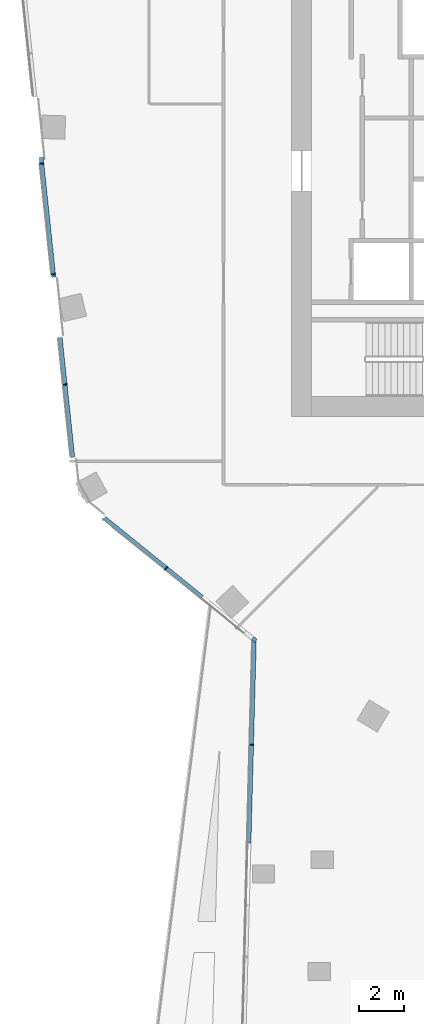
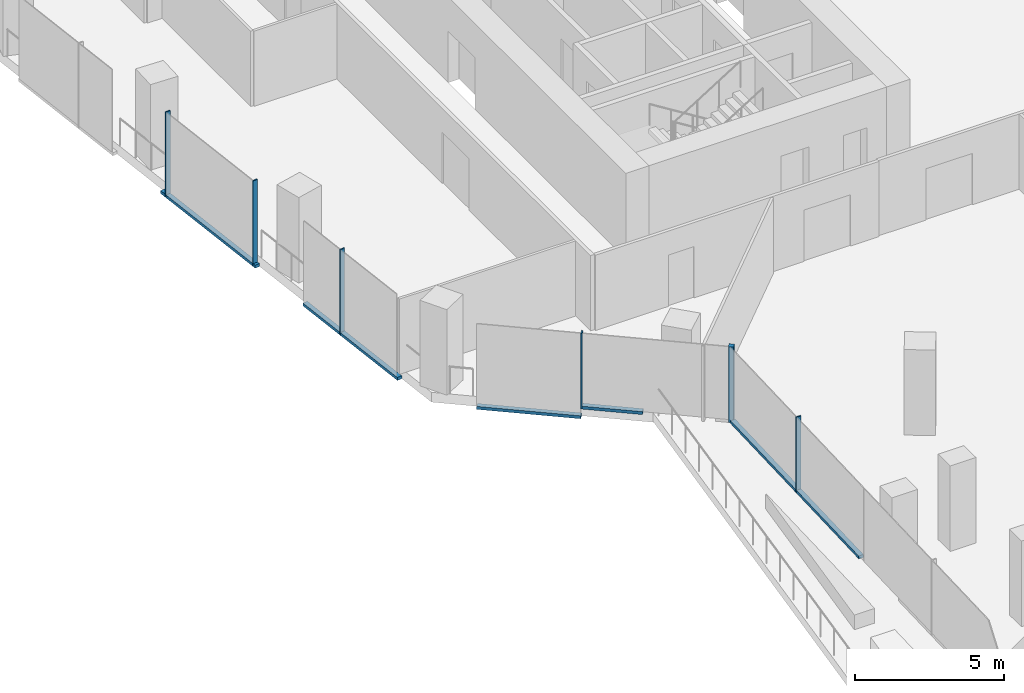
# One storey, part 5 of 24: 11 members, 3 elements without a shape of their own.
"""IFC4 building model written with IfcOpenShell, lengths in metres."""

from ifc_helpers import new_model, si_unit, direction, frame, origin, origin_2d, place, context, subcontext, project, spatial, rectangle, extrude, material, material_profile, profile_set, type_object, element, aggregate, save


model = new_model("IFC4")

# Units and contexts
model_context = context("Model", 3, precision=1e-05, world=origin(), true_north=direction((0.0, 1.0)))
body_context = subcontext(model_context, "Body", "Model", "MODEL_VIEW")
ifc_project = project(units=[si_unit("LENGTHUNIT", "METRE"), si_unit("AREAUNIT", "SQUARE_METRE"), si_unit("VOLUMEUNIT", "CUBIC_METRE"), si_unit("PLANEANGLEUNIT", "RADIAN"), si_unit("MASSUNIT", "GRAM", prefix="KILO")], contexts=[model_context])

# Site, building, storey
site_placement = place(None, origin())
site = spatial("IfcSite", under=ifc_project, at=site_placement, CompositionType="ELEMENT")
building_placement = place(site_placement, origin())
building = spatial("IfcBuilding", under=site, at=building_placement, Name="Orlundy Tower", CompositionType="ELEMENT")
storey_placement = place(building_placement, frame((0.0, 0.0, 210.5)))
storey = spatial("IfcBuildingStorey", under=building, at=storey_placement, Name="L55", CompositionType="ELEMENT", Elevation=210.5)

# Curtain wall, member
ifc_material_1 = material(Name="Aluminium bronze anodised", Category="aluminium")
curtain_wall_type = type_object("IfcCurtainWallType", Name="CW1 wall", PredefinedType="NOTDEFINED", material=ifc_material_1)
curtain_wall_1_placement = place(storey_placement, origin())
curtain_wall_1 = element("IfcCurtainWall", 1, at=curtain_wall_1_placement, inside=storey, type_object=curtain_wall_type, Name="CW1 run 01", PredefinedType="NOTDEFINED")
ifc_material_2 = material(Name="Aluminium bronze anodised", Category="aluminium")
ifc_material_profile_1 = material_profile(ifc_material_2, rectangle(XDim=0.179931640625, YDim=0.179931640625, at=origin_2d()), Name="CW1 corner post 180x180")
ifc_profile_set_1 = profile_set([ifc_material_profile_1], Name="Aluminium bronze anodised")
member_type_1 = type_object("IfcMemberType", Name="CW1 corner post 180x180", PredefinedType="MULLION", material=ifc_profile_set_1)
member_1_placement = place(storey_placement, frame((-20.672119140625, -21.97802734375, 0.0), z_axis=(0.0, 0.0, 1.0), x_axis=(-0.629282527892, -0.77717662091, 0.0)))
member_1 = element("IfcMember", 2, at=member_1_placement, type_object=member_type_1, Name="CW1 mullion 7", PredefinedType="MULLION", context=body_context, shape_type="SweptSolid", body=[
    extrude(rectangle(XDim=0.179931640625, YDim=0.179931640625, at=origin_2d()), origin(), (0.0, 0.0, 1.0), 3.10009765625),
])

curtain_wall_2_placement = place(storey_placement, origin())
curtain_wall_2 = element("IfcCurtainWall", 3, at=curtain_wall_2_placement, inside=storey, type_object=curtain_wall_type, Name="CW1 run 00", PredefinedType="NOTDEFINED")
ifc_material_3 = material(Name="Aluminium bronze anodised", Category="aluminium")
ifc_material_profile_2 = material_profile(ifc_material_3, rectangle(XDim=0.179931640625, YDim=0.050048828125, at=origin_2d()), Name="CW1 mullion 50x180")
ifc_profile_set_2 = profile_set([ifc_material_profile_2], Name="Aluminium bronze anodised")
member_type_2 = type_object("IfcMemberType", Name="CW1 mullion 50x180", PredefinedType="MULLION", material=ifc_profile_set_2)
member_2_placement = place(storey_placement, frame((-20.79541015625, -26.6875, 0.0), z_axis=(0.0, 0.0, 1.0), x_axis=(-0.999657234212, 0.026180414199, 0.0)))
member_2 = element("IfcMember", 4, at=member_2_placement, type_object=member_type_2, Name="CW1 mullion 6", PredefinedType="MULLION", context=body_context, shape_type="SweptSolid", body=[
    extrude(rectangle(XDim=0.179931640625, YDim=0.050048828125, at=origin_2d()), origin(), (0.0, 0.0, 1.0), 3.10009765625),
])

# Member
member_3_placement = place(storey_placement, frame((-24.61572265625, -18.784912109375, 0.0), z_axis=(0.0, 0.0, 1.0), x_axis=(-0.629282527892, -0.77717662091, 0.0)))
member_3 = element("IfcMember", 5, at=member_3_placement, type_object=member_type_2, Name="CW1 mullion 8", PredefinedType="MULLION", context=body_context, shape_type="SweptSolid", body=[
    extrude(rectangle(XDim=0.179931640625, YDim=0.050048828125, at=origin_2d()), origin(), (0.0, 0.0, 1.0), 3.10009765625),
])

# Curtain wall, members
curtain_wall_3_placement = place(storey_placement, origin())
curtain_wall_3 = element("IfcCurtainWall", 6, at=curtain_wall_3_placement, inside=storey, type_object=curtain_wall_type, Name="CW1 run 02", PredefinedType="NOTDEFINED")
member_4_placement = place(storey_placement, frame((-29.14599609375, -10.560302734375, -0.39990234375), z_axis=(0.0, 0.0, 1.0), x_axis=(-0.994520875843, -0.104538162943, 0.0)))
member_4 = element("IfcMember", 7, at=member_4_placement, type_object=member_type_2, Name="CW1 mullion 10", PredefinedType="MULLION", context=body_context, shape_type="SweptSolid", body=[
    extrude(rectangle(XDim=0.179931640625, YDim=0.050048828125, at=origin_2d()), origin(), (0.0, 0.0, 1.0), 3.5),
])
member_5_placement = place(storey_placement, frame((-29.665771484375, -5.616943359375, -0.39990234375), z_axis=(0.0, 0.0, 1.0), x_axis=(-0.994520875843, -0.104538162943, 0.0)))
member_5 = element("IfcMember", 8, at=member_5_placement, type_object=member_type_2, Name="CW1 mullion 11", PredefinedType="MULLION", context=body_context, shape_type="SweptSolid", body=[
    extrude(rectangle(XDim=0.179931640625, YDim=0.050048828125, at=origin_2d()), origin(), (0.0, 0.0, 1.0), 3.5),
])
member_6_placement = place(storey_placement, frame((-30.185302734375, -0.673828125, -0.39990234375), z_axis=(0.0, 0.0, 1.0), x_axis=(-0.994520875843, -0.104538162943, 0.0)))
member_6 = element("IfcMember", 9, at=member_6_placement, type_object=member_type_2, Name="CW1 mullion 12", PredefinedType="MULLION", context=body_context, shape_type="SweptSolid", body=[
    extrude(rectangle(XDim=0.179931640625, YDim=0.050048828125, at=origin_2d()), origin(), (0.0, 0.0, 1.0), 3.5),
])

# Member
ifc_material_4 = material(Name="Aluminium bronze anodised", Category="aluminium")
ifc_material_profile_3 = material_profile(ifc_material_4, rectangle(XDim=0.179931640625, YDim=0.1201171875, at=origin_2d()), Name="CW1 transom 180x120")
ifc_profile_set_3 = profile_set([ifc_material_profile_3], Name="Aluminium bronze anodised")
member_type_3 = type_object("IfcMemberType", Name="CW1 transom 180x120", PredefinedType="USERDEFINED", material=ifc_profile_set_3)
member_7_placement = place(storey_placement, frame((-20.91064453125, -31.083984375, 0.06005859375), z_axis=(0.026189634521, 0.999656992695, 0.0), x_axis=(-0.999656992695, 0.026189634521, 0.0)))
member_7 = element("IfcMember", 10, at=member_7_placement, type_object=member_type_3, Name="CW1 transom", ObjectType="TRANSOM", PredefinedType="USERDEFINED", context=body_context, shape_type="SweptSolid", body=[
    extrude(rectangle(XDim=0.179931640625, YDim=0.1201171875, at=origin_2d()), origin(), (0.0, 0.0, 1.0), 8.995849609375),
])

aggregate(curtain_wall_2, [member_2, member_7])

member_8_placement = place(storey_placement, frame((-23.0078125, -20.0869140625, 0.06005859375), z_axis=(-0.777172538182, 0.629287570111, 0.0), x_axis=(-0.629287570111, -0.777172538182, 0.0)))
member_8 = element("IfcMember", 11, at=member_8_placement, type_object=member_type_3, Name="CW1 transom", ObjectType="TRANSOM", PredefinedType="USERDEFINED", context=body_context, shape_type="SweptSolid", body=[
    extrude(rectangle(XDim=0.179931640625, YDim=0.1201171875, at=origin_2d()), origin(), (0.0, 0.0, 1.0), 2.043701171875),
])

member_9_placement = place(storey_placement, frame((-24.635009765625, -18.769287109375, -0.340087890625), z_axis=(-0.777170770366, 0.629289753364, 0.0), x_axis=(-0.629289753364, -0.777170770366, 0.0)))
member_9 = element("IfcMember", 12, at=member_9_placement, type_object=member_type_3, Name="CW1 transom", ObjectType="TRANSOM", PredefinedType="USERDEFINED", context=body_context, shape_type="SweptSolid", body=[
    extrude(rectangle(XDim=0.179931640625, YDim=0.1201171875, at=origin_2d()), origin(), (0.0, 0.0, 1.0), 3.52978515625),
])

aggregate(curtain_wall_1, [member_1, member_3, member_8, member_9])

member_10_placement = place(storey_placement, frame((-28.803466796875, -13.820068359375, -0.340087890625), z_axis=(-0.104522052166, 0.994522569181, 0.0), x_axis=(-0.994522569181, -0.104522052166, 0.0)))
member_10 = element("IfcMember", 13, at=member_10_placement, type_object=member_type_3, Name="CW1 transom", ObjectType="TRANSOM", PredefinedType="USERDEFINED", context=body_context, shape_type="SweptSolid", body=[
    extrude(rectangle(XDim=0.179931640625, YDim=0.1201171875, at=origin_2d()), origin(), (0.0, 0.0, 1.0), 5.388671875),
])

member_11_placement = place(storey_placement, frame((-29.6513671875, -5.75439453125, -0.340087890625), z_axis=(-0.104541142608, 0.994520562634, 0.0), x_axis=(-0.994520562634, -0.104541142608, 0.0)))
member_11 = element("IfcMember", 14, at=member_11_placement, type_object=member_type_3, Name="CW1 transom", ObjectType="TRANSOM", PredefinedType="USERDEFINED", context=body_context, shape_type="SweptSolid", body=[
    extrude(rectangle(XDim=0.179931640625, YDim=0.1201171875, at=origin_2d()), origin(), (0.0, 0.0, 1.0), 5.39697265625),
])

aggregate(curtain_wall_3, [member_4, member_5, member_6, member_10, member_11])

save(model, "model.ifc")
